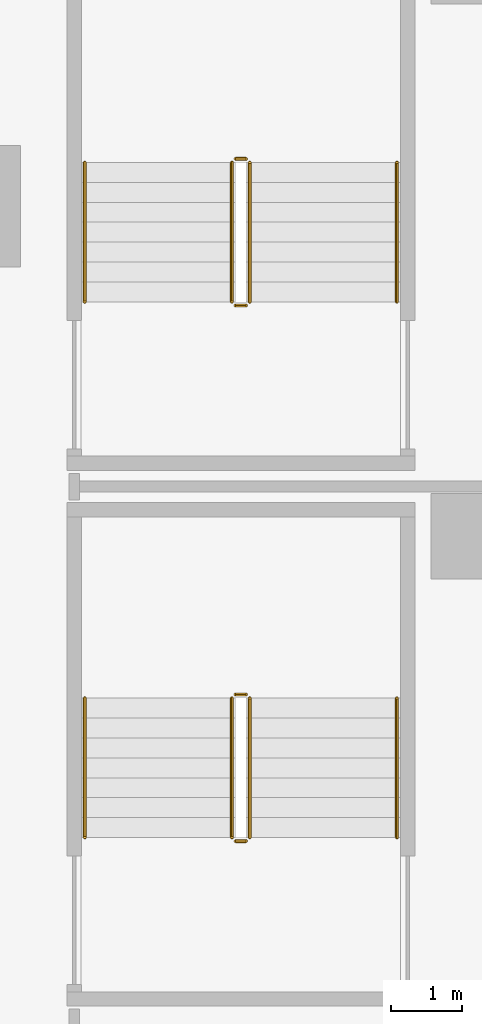
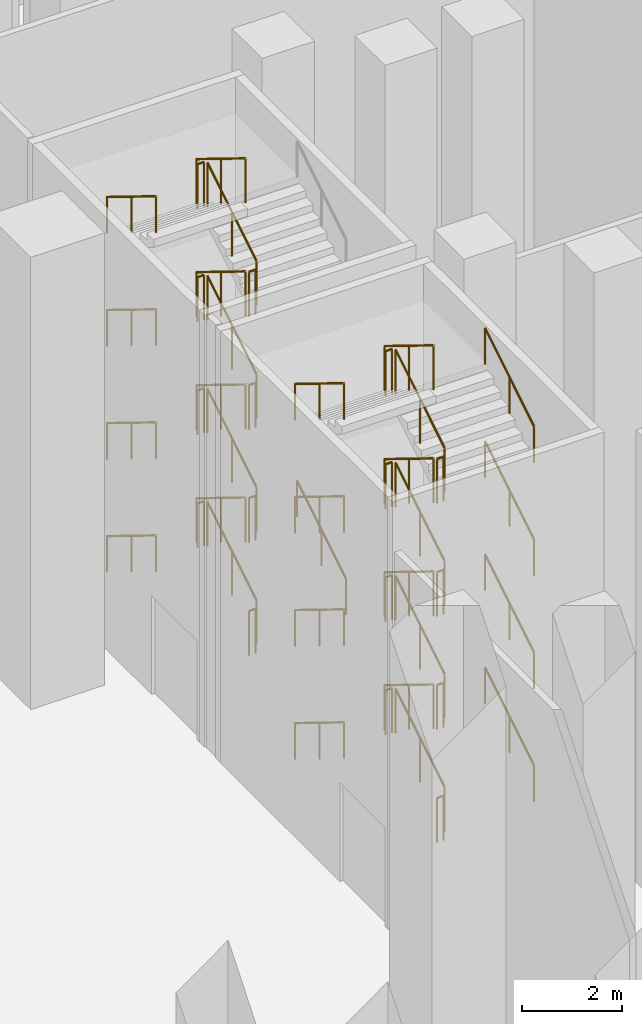
# One storey, part 27 of 31: 45 railings.
"""IFC4 building model written with IfcOpenShell, lengths in metres."""

from ifc_helpers import new_model, si_unit, direction, frame, origin, origin_2d, place, context, subcontext, project, spatial, circle, extrude, material, type_object, element, save


model = new_model("IFC4")

# Units and contexts
model_context = context("Model", 3, precision=1e-05, world=origin(), true_north=direction((0.0, 1.0)))
body_context = subcontext(model_context, "Body", "Model", "MODEL_VIEW")
ifc_project = project(units=[si_unit("LENGTHUNIT", "METRE"), si_unit("AREAUNIT", "SQUARE_METRE"), si_unit("VOLUMEUNIT", "CUBIC_METRE"), si_unit("PLANEANGLEUNIT", "RADIAN"), si_unit("MASSUNIT", "GRAM", prefix="KILO")], contexts=[model_context])

# Site, building, storey
site_placement = place(None, origin())
site = spatial("IfcSite", under=ifc_project, at=site_placement, CompositionType="ELEMENT")
building_placement = place(site_placement, origin())
building = spatial("IfcBuilding", under=site, at=building_placement, Name="Calabash Gate Tower", CompositionType="ELEMENT")
storey_placement = place(building_placement, frame((0.0, 0.0, 9.0)))
storey = spatial("IfcBuildingStorey", under=building, at=storey_placement, Name="L01", CompositionType="ELEMENT", Elevation=9.0)

# Railings
ifc_material_1 = material(Name="Black powder-coated steel balusters", Category="steel")
railing_type_1 = type_object("IfcRailingType", Name="Stair guard RL1100", PredefinedType="GUARDRAIL", material=ifc_material_1)
railing_1_placement = place(storey_placement, frame((36.06005859375, -32.840087890625, 0.171875)))
element("IfcRailing", 1, at=railing_1_placement, inside=storey, type_object=railing_type_1, Name="L01 PS6 stair guard 1", PredefinedType="GUARDRAIL", context=body_context, shape_type="SweptSolid", body=[
    extrude(circle(Radius=0.02392578125, at=origin_2d()), frame((0.0, 0.0, 1.076171875), z_axis=(0.0, 0.851424364277, 0.524477408394), x_axis=(-1.0, 0.0, 0.0)), (0.0, 0.0, 1.0), 2.2939453125),
    extrude(circle(Radius=0.02099609375, at=origin_2d()), origin(), (0.0, 0.0, 1.0), 1.052001953125),
    extrude(circle(Radius=0.02099609375, at=origin_2d()), frame((0.0, 0.9765625, 0.6015625)), (0.0, 0.0, 1.0), 1.052001953125),
    extrude(circle(Radius=0.02099609375, at=origin_2d()), frame((0.0, 1.953125, 1.203125)), (0.0, 0.0, 1.0), 1.052001953125),
])
railing_2_placement = place(storey_placement, frame((36.010009765625, -30.8369140625, 1.375)))
element("IfcRailing", 2, at=railing_2_placement, inside=storey, type_object=railing_type_1, Name="L01 PS6 stair guard 2", PredefinedType="GUARDRAIL", context=body_context, shape_type="SweptSolid", body=[
    extrude(circle(Radius=0.02392578125, at=origin_2d()), frame((0.0, 0.0, 1.076171875), z_axis=(-1.0, 0.0, 0.0), x_axis=(0.0, -1.0, 0.0)), (0.0, 0.0, 1.0), 0.14990234375),
    extrude(circle(Radius=0.02099609375, at=origin_2d()), origin(), (0.0, 0.0, 1.0), 1.052001953125),
    extrude(circle(Radius=0.02099609375, at=origin_2d()), frame((-0.14990234375, 0.0, 0.0)), (0.0, 0.0, 1.0), 1.052001953125),
])
railing_3_placement = place(storey_placement, frame((35.81005859375, -30.886962890625, 1.546875)))
element("IfcRailing", 3, at=railing_3_placement, inside=storey, type_object=railing_type_1, Name="L01 PS6 stair guard 3", PredefinedType="GUARDRAIL", context=body_context, shape_type="SweptSolid", body=[
    extrude(circle(Radius=0.02392578125, at=origin_2d()), frame((0.0, 0.0, 1.076171875), z_axis=(0.0, -0.851424364277, 0.524477408394), x_axis=(1.0, 0.0, 0.0)), (0.0, 0.0, 1.0), 2.2939453125),
    extrude(circle(Radius=0.02099609375, at=origin_2d()), origin(), (0.0, 0.0, 1.0), 1.052001953125),
    extrude(circle(Radius=0.02099609375, at=origin_2d()), frame((0.0, -0.9765625, 0.6015625)), (0.0, 0.0, 1.0), 1.052001953125),
    extrude(circle(Radius=0.02099609375, at=origin_2d()), frame((0.0, -1.953125, 1.203125)), (0.0, 0.0, 1.0), 1.052001953125),
])
railing_4_placement = place(storey_placement, frame((36.010009765625, -32.889892578125, 2.75)))
element("IfcRailing", 4, at=railing_4_placement, inside=storey, type_object=railing_type_1, Name="L01 PS6 stair guard 4", PredefinedType="GUARDRAIL", context=body_context, shape_type="SweptSolid", body=[
    extrude(circle(Radius=0.02392578125, at=origin_2d()), frame((0.0, 0.0, 1.076171875), z_axis=(-1.0, 0.0, 0.0), x_axis=(0.0, -1.0, 0.0)), (0.0, 0.0, 1.0), 0.14990234375),
    extrude(circle(Radius=0.02099609375, at=origin_2d()), origin(), (0.0, 0.0, 1.0), 1.052001953125),
    extrude(circle(Radius=0.02099609375, at=origin_2d()), frame((-0.14990234375, 0.0, 0.0)), (0.0, 0.0, 1.0), 1.052001953125),
])
railing_5_placement = place(storey_placement, frame((36.06005859375, -32.840087890625, 2.921875)))
element("IfcRailing", 5, at=railing_5_placement, inside=storey, type_object=railing_type_1, Name="L01 PS6 stair guard 5", PredefinedType="GUARDRAIL", context=body_context, shape_type="SweptSolid", body=[
    extrude(circle(Radius=0.02392578125, at=origin_2d()), frame((0.0, 0.0, 1.076171875), z_axis=(0.0, 0.851424364277, 0.524477408394), x_axis=(-1.0, 0.0, 0.0)), (0.0, 0.0, 1.0), 2.2939453125),
    extrude(circle(Radius=0.02099609375, at=origin_2d()), origin(), (0.0, 0.0, 1.0), 1.052001953125),
    extrude(circle(Radius=0.02099609375, at=origin_2d()), frame((0.0, 0.9765625, 0.6015625)), (0.0, 0.0, 1.0), 1.052001953125),
    extrude(circle(Radius=0.02099609375, at=origin_2d()), frame((0.0, 1.953125, 1.203125)), (0.0, 0.0, 1.0), 1.052001953125),
])
railing_6_placement = place(storey_placement, frame((36.010009765625, -30.8369140625, 4.125)))
element("IfcRailing", 6, at=railing_6_placement, inside=storey, type_object=railing_type_1, Name="L01 PS6 stair guard 6", PredefinedType="GUARDRAIL", context=body_context, shape_type="SweptSolid", body=[
    extrude(circle(Radius=0.02392578125, at=origin_2d()), frame((0.0, 0.0, 1.076171875), z_axis=(-1.0, 0.0, 0.0), x_axis=(0.0, -1.0, 0.0)), (0.0, 0.0, 1.0), 0.14990234375),
    extrude(circle(Radius=0.02099609375, at=origin_2d()), origin(), (0.0, 0.0, 1.0), 1.052001953125),
    extrude(circle(Radius=0.02099609375, at=origin_2d()), frame((-0.14990234375, 0.0, 0.0)), (0.0, 0.0, 1.0), 1.052001953125),
])
railing_7_placement = place(storey_placement, frame((35.81005859375, -30.886962890625, 4.296875)))
element("IfcRailing", 7, at=railing_7_placement, inside=storey, type_object=railing_type_1, Name="L01 PS6 stair guard 7", PredefinedType="GUARDRAIL", context=body_context, shape_type="SweptSolid", body=[
    extrude(circle(Radius=0.02392578125, at=origin_2d()), frame((0.0, 0.0, 1.076171875), z_axis=(0.0, -0.851424364277, 0.524477408394), x_axis=(1.0, 0.0, 0.0)), (0.0, 0.0, 1.0), 2.2939453125),
    extrude(circle(Radius=0.02099609375, at=origin_2d()), origin(), (0.0, 0.0, 1.0), 1.052001953125),
    extrude(circle(Radius=0.02099609375, at=origin_2d()), frame((0.0, -0.9765625, 0.6015625)), (0.0, 0.0, 1.0), 1.052001953125),
    extrude(circle(Radius=0.02099609375, at=origin_2d()), frame((0.0, -1.953125, 1.203125)), (0.0, 0.0, 1.0), 1.052001953125),
])
railing_8_placement = place(storey_placement, frame((36.010009765625, -32.889892578125, 5.5)))
element("IfcRailing", 8, at=railing_8_placement, inside=storey, type_object=railing_type_1, Name="L01 PS6 stair guard 8", PredefinedType="GUARDRAIL", context=body_context, shape_type="SweptSolid", body=[
    extrude(circle(Radius=0.02392578125, at=origin_2d()), frame((0.0, 0.0, 1.076171875), z_axis=(-1.0, 0.0, 0.0), x_axis=(0.0, -1.0, 0.0)), (0.0, 0.0, 1.0), 0.14990234375),
    extrude(circle(Radius=0.02099609375, at=origin_2d()), origin(), (0.0, 0.0, 1.0), 1.052001953125),
    extrude(circle(Radius=0.02099609375, at=origin_2d()), frame((-0.14990234375, 0.0, 0.0)), (0.0, 0.0, 1.0), 1.052001953125),
])
railing_9_placement = place(storey_placement, frame((36.06005859375, -32.840087890625, 5.671875)))
element("IfcRailing", 9, at=railing_9_placement, inside=storey, type_object=railing_type_1, Name="L01 PS6 stair guard 9", PredefinedType="GUARDRAIL", context=body_context, shape_type="SweptSolid", body=[
    extrude(circle(Radius=0.02392578125, at=origin_2d()), frame((0.0, 0.0, 1.076171875), z_axis=(0.0, 0.851424364277, 0.524477408394), x_axis=(-1.0, 0.0, 0.0)), (0.0, 0.0, 1.0), 2.2939453125),
    extrude(circle(Radius=0.02099609375, at=origin_2d()), origin(), (0.0, 0.0, 1.0), 1.052001953125),
    extrude(circle(Radius=0.02099609375, at=origin_2d()), frame((0.0, 0.9765625, 0.6015625)), (0.0, 0.0, 1.0), 1.052001953125),
    extrude(circle(Radius=0.02099609375, at=origin_2d()), frame((0.0, 1.953125, 1.203125)), (0.0, 0.0, 1.0), 1.052001953125),
])
railing_10_placement = place(storey_placement, frame((36.010009765625, -30.8369140625, 6.875)))
element("IfcRailing", 10, at=railing_10_placement, inside=storey, type_object=railing_type_1, Name="L01 PS6 stair guard 10", PredefinedType="GUARDRAIL", context=body_context, shape_type="SweptSolid", body=[
    extrude(circle(Radius=0.02392578125, at=origin_2d()), frame((0.0, 0.0, 1.076171875), z_axis=(-1.0, 0.0, 0.0), x_axis=(0.0, -1.0, 0.0)), (0.0, 0.0, 1.0), 0.14990234375),
    extrude(circle(Radius=0.02099609375, at=origin_2d()), origin(), (0.0, 0.0, 1.0), 1.052001953125),
    extrude(circle(Radius=0.02099609375, at=origin_2d()), frame((-0.14990234375, 0.0, 0.0)), (0.0, 0.0, 1.0), 1.052001953125),
])
railing_11_placement = place(storey_placement, frame((35.81005859375, -30.886962890625, 7.046875)))
element("IfcRailing", 11, at=railing_11_placement, inside=storey, type_object=railing_type_1, Name="L01 PS6 stair guard 11", PredefinedType="GUARDRAIL", context=body_context, shape_type="SweptSolid", body=[
    extrude(circle(Radius=0.02392578125, at=origin_2d()), frame((0.0, 0.0, 1.076171875), z_axis=(0.0, -0.851424364277, 0.524477408394), x_axis=(1.0, 0.0, 0.0)), (0.0, 0.0, 1.0), 2.2939453125),
    extrude(circle(Radius=0.02099609375, at=origin_2d()), origin(), (0.0, 0.0, 1.0), 1.052001953125),
    extrude(circle(Radius=0.02099609375, at=origin_2d()), frame((0.0, -0.9765625, 0.6015625)), (0.0, 0.0, 1.0), 1.052001953125),
    extrude(circle(Radius=0.02099609375, at=origin_2d()), frame((0.0, -1.953125, 1.203125)), (0.0, 0.0, 1.0), 1.052001953125),
])
railing_12_placement = place(storey_placement, frame((36.010009765625, -32.889892578125, 8.25)))
element("IfcRailing", 12, at=railing_12_placement, inside=storey, type_object=railing_type_1, Name="L01 PS6 stair guard 12", PredefinedType="GUARDRAIL", context=body_context, shape_type="SweptSolid", body=[
    extrude(circle(Radius=0.02392578125, at=origin_2d()), frame((0.0, 0.0, 1.076171875), z_axis=(-1.0, 0.0, 0.0), x_axis=(0.0, -1.0, 0.0)), (0.0, 0.0, 1.0), 0.14990234375),
    extrude(circle(Radius=0.02099609375, at=origin_2d()), origin(), (0.0, 0.0, 1.0), 1.052001953125),
    extrude(circle(Radius=0.02099609375, at=origin_2d()), frame((-0.14990234375, 0.0, 0.0)), (0.0, 0.0, 1.0), 1.052001953125),
])
railing_13_placement = place(storey_placement, frame((36.06005859375, -32.840087890625, 8.421875)))
element("IfcRailing", 13, at=railing_13_placement, inside=storey, type_object=railing_type_1, Name="L01 PS6 stair guard 13", PredefinedType="GUARDRAIL", context=body_context, shape_type="SweptSolid", body=[
    extrude(circle(Radius=0.02392578125, at=origin_2d()), frame((0.0, 0.0, 1.076171875), z_axis=(0.0, 0.851424364277, 0.524477408394), x_axis=(-1.0, 0.0, 0.0)), (0.0, 0.0, 1.0), 2.2939453125),
    extrude(circle(Radius=0.02099609375, at=origin_2d()), origin(), (0.0, 0.0, 1.0), 1.052001953125),
    extrude(circle(Radius=0.02099609375, at=origin_2d()), frame((0.0, 0.9765625, 0.6015625)), (0.0, 0.0, 1.0), 1.052001953125),
    extrude(circle(Radius=0.02099609375, at=origin_2d()), frame((0.0, 1.953125, 1.203125)), (0.0, 0.0, 1.0), 1.052001953125),
])
railing_14_placement = place(storey_placement, frame((36.010009765625, -30.8369140625, 9.625)))
element("IfcRailing", 14, at=railing_14_placement, inside=storey, type_object=railing_type_1, Name="L01 PS6 stair guard 14", PredefinedType="GUARDRAIL", context=body_context, shape_type="SweptSolid", body=[
    extrude(circle(Radius=0.02392578125, at=origin_2d()), frame((0.0, 0.0, 1.076171875), z_axis=(-1.0, 0.0, 0.0), x_axis=(0.0, -1.0, 0.0)), (0.0, 0.0, 1.0), 0.14990234375),
    extrude(circle(Radius=0.02099609375, at=origin_2d()), origin(), (0.0, 0.0, 1.0), 1.052001953125),
    extrude(circle(Radius=0.02099609375, at=origin_2d()), frame((-0.14990234375, 0.0, 0.0)), (0.0, 0.0, 1.0), 1.052001953125),
])
railing_15_placement = place(storey_placement, frame((35.81005859375, -30.886962890625, 9.796875)))
element("IfcRailing", 15, at=railing_15_placement, inside=storey, type_object=railing_type_1, Name="L01 PS6 stair guard 15", PredefinedType="GUARDRAIL", context=body_context, shape_type="SweptSolid", body=[
    extrude(circle(Radius=0.02392578125, at=origin_2d()), frame((0.0, 0.0, 1.076171875), z_axis=(0.0, -0.851424364277, 0.524477408394), x_axis=(1.0, 0.0, 0.0)), (0.0, 0.0, 1.0), 2.2939453125),
    extrude(circle(Radius=0.02099609375, at=origin_2d()), origin(), (0.0, 0.0, 1.0), 1.052001953125),
    extrude(circle(Radius=0.02099609375, at=origin_2d()), frame((0.0, -0.9765625, 0.6015625)), (0.0, 0.0, 1.0), 1.052001953125),
    extrude(circle(Radius=0.02099609375, at=origin_2d()), frame((0.0, -1.953125, 1.203125)), (0.0, 0.0, 1.0), 1.052001953125),
])
railing_16_placement = place(storey_placement, frame((36.010009765625, -32.889892578125, 0.0)))
element("IfcRailing", 16, at=railing_16_placement, inside=storey, type_object=railing_type_1, Name="L01 PS6 stair guard 16", PredefinedType="GUARDRAIL", context=body_context, shape_type="SweptSolid", body=[
    extrude(circle(Radius=0.02392578125, at=origin_2d()), frame((0.0, 0.0, 1.076171875), z_axis=(-1.0, 0.0, 0.0), x_axis=(0.0, -1.0, 0.0)), (0.0, 0.0, 1.0), 0.14990234375),
    extrude(circle(Radius=0.02099609375, at=origin_2d()), origin(), (0.0, 0.0, 1.0), 1.052001953125),
    extrude(circle(Radius=0.02099609375, at=origin_2d()), frame((-0.14990234375, 0.0, 0.0)), (0.0, 0.0, 1.0), 1.052001953125),
])
railing_17_placement = place(storey_placement, frame((36.06005859375, -25.340087890625, 0.171875)))
element("IfcRailing", 17, at=railing_17_placement, inside=storey, type_object=railing_type_1, Name="L01 PS7 stair guard 1", PredefinedType="GUARDRAIL", context=body_context, shape_type="SweptSolid", body=[
    extrude(circle(Radius=0.02392578125, at=origin_2d()), frame((0.0, 0.0, 1.076171875), z_axis=(0.0, 0.851424364277, 0.524477408394), x_axis=(-1.0, 0.0, 0.0)), (0.0, 0.0, 1.0), 2.2939453125),
    extrude(circle(Radius=0.02099609375, at=origin_2d()), origin(), (0.0, 0.0, 1.0), 1.052001953125),
    extrude(circle(Radius=0.02099609375, at=origin_2d()), frame((0.0, 0.9765625, 0.6015625)), (0.0, 0.0, 1.0), 1.052001953125),
    extrude(circle(Radius=0.02099609375, at=origin_2d()), frame((0.0, 1.953125, 1.203125)), (0.0, 0.0, 1.0), 1.052001953125),
])
railing_18_placement = place(storey_placement, frame((36.010009765625, -23.3369140625, 1.375)))
element("IfcRailing", 18, at=railing_18_placement, inside=storey, type_object=railing_type_1, Name="L01 PS7 stair guard 2", PredefinedType="GUARDRAIL", context=body_context, shape_type="SweptSolid", body=[
    extrude(circle(Radius=0.02392578125, at=origin_2d()), frame((0.0, 0.0, 1.076171875), z_axis=(-1.0, 0.0, 0.0), x_axis=(0.0, -1.0, 0.0)), (0.0, 0.0, 1.0), 0.14990234375),
    extrude(circle(Radius=0.02099609375, at=origin_2d()), origin(), (0.0, 0.0, 1.0), 1.052001953125),
    extrude(circle(Radius=0.02099609375, at=origin_2d()), frame((-0.14990234375, 0.0, 0.0)), (0.0, 0.0, 1.0), 1.052001953125),
])
railing_19_placement = place(storey_placement, frame((35.81005859375, -23.386962890625, 1.546875)))
element("IfcRailing", 19, at=railing_19_placement, inside=storey, type_object=railing_type_1, Name="L01 PS7 stair guard 3", PredefinedType="GUARDRAIL", context=body_context, shape_type="SweptSolid", body=[
    extrude(circle(Radius=0.02392578125, at=origin_2d()), frame((0.0, 0.0, 1.076171875), z_axis=(0.0, -0.851424364277, 0.524477408394), x_axis=(1.0, 0.0, 0.0)), (0.0, 0.0, 1.0), 2.2939453125),
    extrude(circle(Radius=0.02099609375, at=origin_2d()), origin(), (0.0, 0.0, 1.0), 1.052001953125),
    extrude(circle(Radius=0.02099609375, at=origin_2d()), frame((0.0, -0.9765625, 0.6015625)), (0.0, 0.0, 1.0), 1.052001953125),
    extrude(circle(Radius=0.02099609375, at=origin_2d()), frame((0.0, -1.953125, 1.203125)), (0.0, 0.0, 1.0), 1.052001953125),
])
railing_20_placement = place(storey_placement, frame((36.010009765625, -25.389892578125, 2.75)))
element("IfcRailing", 20, at=railing_20_placement, inside=storey, type_object=railing_type_1, Name="L01 PS7 stair guard 4", PredefinedType="GUARDRAIL", context=body_context, shape_type="SweptSolid", body=[
    extrude(circle(Radius=0.02392578125, at=origin_2d()), frame((0.0, 0.0, 1.076171875), z_axis=(-1.0, 0.0, 0.0), x_axis=(0.0, -1.0, 0.0)), (0.0, 0.0, 1.0), 0.14990234375),
    extrude(circle(Radius=0.02099609375, at=origin_2d()), origin(), (0.0, 0.0, 1.0), 1.052001953125),
    extrude(circle(Radius=0.02099609375, at=origin_2d()), frame((-0.14990234375, 0.0, 0.0)), (0.0, 0.0, 1.0), 1.052001953125),
])
railing_21_placement = place(storey_placement, frame((36.06005859375, -25.340087890625, 2.921875)))
element("IfcRailing", 21, at=railing_21_placement, inside=storey, type_object=railing_type_1, Name="L01 PS7 stair guard 5", PredefinedType="GUARDRAIL", context=body_context, shape_type="SweptSolid", body=[
    extrude(circle(Radius=0.02392578125, at=origin_2d()), frame((0.0, 0.0, 1.076171875), z_axis=(0.0, 0.851424364277, 0.524477408394), x_axis=(-1.0, 0.0, 0.0)), (0.0, 0.0, 1.0), 2.2939453125),
    extrude(circle(Radius=0.02099609375, at=origin_2d()), origin(), (0.0, 0.0, 1.0), 1.052001953125),
    extrude(circle(Radius=0.02099609375, at=origin_2d()), frame((0.0, 0.9765625, 0.6015625)), (0.0, 0.0, 1.0), 1.052001953125),
    extrude(circle(Radius=0.02099609375, at=origin_2d()), frame((0.0, 1.953125, 1.203125)), (0.0, 0.0, 1.0), 1.052001953125),
])
railing_22_placement = place(storey_placement, frame((36.010009765625, -23.3369140625, 4.125)))
element("IfcRailing", 22, at=railing_22_placement, inside=storey, type_object=railing_type_1, Name="L01 PS7 stair guard 6", PredefinedType="GUARDRAIL", context=body_context, shape_type="SweptSolid", body=[
    extrude(circle(Radius=0.02392578125, at=origin_2d()), frame((0.0, 0.0, 1.076171875), z_axis=(-1.0, 0.0, 0.0), x_axis=(0.0, -1.0, 0.0)), (0.0, 0.0, 1.0), 0.14990234375),
    extrude(circle(Radius=0.02099609375, at=origin_2d()), origin(), (0.0, 0.0, 1.0), 1.052001953125),
    extrude(circle(Radius=0.02099609375, at=origin_2d()), frame((-0.14990234375, 0.0, 0.0)), (0.0, 0.0, 1.0), 1.052001953125),
])
railing_23_placement = place(storey_placement, frame((35.81005859375, -23.386962890625, 4.296875)))
element("IfcRailing", 23, at=railing_23_placement, inside=storey, type_object=railing_type_1, Name="L01 PS7 stair guard 7", PredefinedType="GUARDRAIL", context=body_context, shape_type="SweptSolid", body=[
    extrude(circle(Radius=0.02392578125, at=origin_2d()), frame((0.0, 0.0, 1.076171875), z_axis=(0.0, -0.851424364277, 0.524477408394), x_axis=(1.0, 0.0, 0.0)), (0.0, 0.0, 1.0), 2.2939453125),
    extrude(circle(Radius=0.02099609375, at=origin_2d()), origin(), (0.0, 0.0, 1.0), 1.052001953125),
    extrude(circle(Radius=0.02099609375, at=origin_2d()), frame((0.0, -0.9765625, 0.6015625)), (0.0, 0.0, 1.0), 1.052001953125),
    extrude(circle(Radius=0.02099609375, at=origin_2d()), frame((0.0, -1.953125, 1.203125)), (0.0, 0.0, 1.0), 1.052001953125),
])
railing_24_placement = place(storey_placement, frame((36.010009765625, -25.389892578125, 5.5)))
element("IfcRailing", 24, at=railing_24_placement, inside=storey, type_object=railing_type_1, Name="L01 PS7 stair guard 8", PredefinedType="GUARDRAIL", context=body_context, shape_type="SweptSolid", body=[
    extrude(circle(Radius=0.02392578125, at=origin_2d()), frame((0.0, 0.0, 1.076171875), z_axis=(-1.0, 0.0, 0.0), x_axis=(0.0, -1.0, 0.0)), (0.0, 0.0, 1.0), 0.14990234375),
    extrude(circle(Radius=0.02099609375, at=origin_2d()), origin(), (0.0, 0.0, 1.0), 1.052001953125),
    extrude(circle(Radius=0.02099609375, at=origin_2d()), frame((-0.14990234375, 0.0, 0.0)), (0.0, 0.0, 1.0), 1.052001953125),
])
railing_25_placement = place(storey_placement, frame((36.06005859375, -25.340087890625, 5.671875)))
element("IfcRailing", 25, at=railing_25_placement, inside=storey, type_object=railing_type_1, Name="L01 PS7 stair guard 9", PredefinedType="GUARDRAIL", context=body_context, shape_type="SweptSolid", body=[
    extrude(circle(Radius=0.02392578125, at=origin_2d()), frame((0.0, 0.0, 1.076171875), z_axis=(0.0, 0.851424364277, 0.524477408394), x_axis=(-1.0, 0.0, 0.0)), (0.0, 0.0, 1.0), 2.2939453125),
    extrude(circle(Radius=0.02099609375, at=origin_2d()), origin(), (0.0, 0.0, 1.0), 1.052001953125),
    extrude(circle(Radius=0.02099609375, at=origin_2d()), frame((0.0, 0.9765625, 0.6015625)), (0.0, 0.0, 1.0), 1.052001953125),
    extrude(circle(Radius=0.02099609375, at=origin_2d()), frame((0.0, 1.953125, 1.203125)), (0.0, 0.0, 1.0), 1.052001953125),
])
railing_26_placement = place(storey_placement, frame((36.010009765625, -23.3369140625, 6.875)))
element("IfcRailing", 26, at=railing_26_placement, inside=storey, type_object=railing_type_1, Name="L01 PS7 stair guard 10", PredefinedType="GUARDRAIL", context=body_context, shape_type="SweptSolid", body=[
    extrude(circle(Radius=0.02392578125, at=origin_2d()), frame((0.0, 0.0, 1.076171875), z_axis=(-1.0, 0.0, 0.0), x_axis=(0.0, -1.0, 0.0)), (0.0, 0.0, 1.0), 0.14990234375),
    extrude(circle(Radius=0.02099609375, at=origin_2d()), origin(), (0.0, 0.0, 1.0), 1.052001953125),
    extrude(circle(Radius=0.02099609375, at=origin_2d()), frame((-0.14990234375, 0.0, 0.0)), (0.0, 0.0, 1.0), 1.052001953125),
])
railing_27_placement = place(storey_placement, frame((35.81005859375, -23.386962890625, 7.046875)))
element("IfcRailing", 27, at=railing_27_placement, inside=storey, type_object=railing_type_1, Name="L01 PS7 stair guard 11", PredefinedType="GUARDRAIL", context=body_context, shape_type="SweptSolid", body=[
    extrude(circle(Radius=0.02392578125, at=origin_2d()), frame((0.0, 0.0, 1.076171875), z_axis=(0.0, -0.851424364277, 0.524477408394), x_axis=(1.0, 0.0, 0.0)), (0.0, 0.0, 1.0), 2.2939453125),
    extrude(circle(Radius=0.02099609375, at=origin_2d()), origin(), (0.0, 0.0, 1.0), 1.052001953125),
    extrude(circle(Radius=0.02099609375, at=origin_2d()), frame((0.0, -0.9765625, 0.6015625)), (0.0, 0.0, 1.0), 1.052001953125),
    extrude(circle(Radius=0.02099609375, at=origin_2d()), frame((0.0, -1.953125, 1.203125)), (0.0, 0.0, 1.0), 1.052001953125),
])
railing_28_placement = place(storey_placement, frame((36.010009765625, -25.389892578125, 8.25)))
element("IfcRailing", 28, at=railing_28_placement, inside=storey, type_object=railing_type_1, Name="L01 PS7 stair guard 12", PredefinedType="GUARDRAIL", context=body_context, shape_type="SweptSolid", body=[
    extrude(circle(Radius=0.02392578125, at=origin_2d()), frame((0.0, 0.0, 1.076171875), z_axis=(-1.0, 0.0, 0.0), x_axis=(0.0, -1.0, 0.0)), (0.0, 0.0, 1.0), 0.14990234375),
    extrude(circle(Radius=0.02099609375, at=origin_2d()), origin(), (0.0, 0.0, 1.0), 1.052001953125),
    extrude(circle(Radius=0.02099609375, at=origin_2d()), frame((-0.14990234375, 0.0, 0.0)), (0.0, 0.0, 1.0), 1.052001953125),
])
railing_29_placement = place(storey_placement, frame((36.06005859375, -25.340087890625, 8.421875)))
element("IfcRailing", 29, at=railing_29_placement, inside=storey, type_object=railing_type_1, Name="L01 PS7 stair guard 13", PredefinedType="GUARDRAIL", context=body_context, shape_type="SweptSolid", body=[
    extrude(circle(Radius=0.02392578125, at=origin_2d()), frame((0.0, 0.0, 1.076171875), z_axis=(0.0, 0.851424364277, 0.524477408394), x_axis=(-1.0, 0.0, 0.0)), (0.0, 0.0, 1.0), 2.2939453125),
    extrude(circle(Radius=0.02099609375, at=origin_2d()), origin(), (0.0, 0.0, 1.0), 1.052001953125),
    extrude(circle(Radius=0.02099609375, at=origin_2d()), frame((0.0, 0.9765625, 0.6015625)), (0.0, 0.0, 1.0), 1.052001953125),
    extrude(circle(Radius=0.02099609375, at=origin_2d()), frame((0.0, 1.953125, 1.203125)), (0.0, 0.0, 1.0), 1.052001953125),
])
railing_30_placement = place(storey_placement, frame((36.010009765625, -23.3369140625, 9.625)))
element("IfcRailing", 30, at=railing_30_placement, inside=storey, type_object=railing_type_1, Name="L01 PS7 stair guard 14", PredefinedType="GUARDRAIL", context=body_context, shape_type="SweptSolid", body=[
    extrude(circle(Radius=0.02392578125, at=origin_2d()), frame((0.0, 0.0, 1.076171875), z_axis=(-1.0, 0.0, 0.0), x_axis=(0.0, -1.0, 0.0)), (0.0, 0.0, 1.0), 0.14990234375),
    extrude(circle(Radius=0.02099609375, at=origin_2d()), origin(), (0.0, 0.0, 1.0), 1.052001953125),
    extrude(circle(Radius=0.02099609375, at=origin_2d()), frame((-0.14990234375, 0.0, 0.0)), (0.0, 0.0, 1.0), 1.052001953125),
])
railing_31_placement = place(storey_placement, frame((35.81005859375, -23.386962890625, 9.796875)))
element("IfcRailing", 31, at=railing_31_placement, inside=storey, type_object=railing_type_1, Name="L01 PS7 stair guard 15", PredefinedType="GUARDRAIL", context=body_context, shape_type="SweptSolid", body=[
    extrude(circle(Radius=0.02392578125, at=origin_2d()), frame((0.0, 0.0, 1.076171875), z_axis=(0.0, -0.851424364277, 0.524477408394), x_axis=(1.0, 0.0, 0.0)), (0.0, 0.0, 1.0), 2.2939453125),
    extrude(circle(Radius=0.02099609375, at=origin_2d()), origin(), (0.0, 0.0, 1.0), 1.052001953125),
    extrude(circle(Radius=0.02099609375, at=origin_2d()), frame((0.0, -0.9765625, 0.6015625)), (0.0, 0.0, 1.0), 1.052001953125),
    extrude(circle(Radius=0.02099609375, at=origin_2d()), frame((0.0, -1.953125, 1.203125)), (0.0, 0.0, 1.0), 1.052001953125),
])
railing_32_placement = place(storey_placement, frame((36.010009765625, -25.389892578125, 0.0)))
element("IfcRailing", 32, at=railing_32_placement, inside=storey, type_object=railing_type_1, Name="L01 PS7 stair guard 16", PredefinedType="GUARDRAIL", context=body_context, shape_type="SweptSolid", body=[
    extrude(circle(Radius=0.02392578125, at=origin_2d()), frame((0.0, 0.0, 1.076171875), z_axis=(-1.0, 0.0, 0.0), x_axis=(0.0, -1.0, 0.0)), (0.0, 0.0, 1.0), 0.14990234375),
    extrude(circle(Radius=0.02099609375, at=origin_2d()), origin(), (0.0, 0.0, 1.0), 1.052001953125),
    extrude(circle(Radius=0.02099609375, at=origin_2d()), frame((-0.14990234375, 0.0, 0.0)), (0.0, 0.0, 1.0), 1.052001953125),
])
ifc_material_2 = material(Name="Black powder-coated steel tube 48 mm", Category="steel")
railing_type_2 = type_object("IfcRailingType", Name="Stair handrail RL900", PredefinedType="HANDRAIL", material=ifc_material_2)
railing_33_placement = place(storey_placement, frame((38.1201171875, -32.840087890625, 0.171875)))
element("IfcRailing", 33, at=railing_33_placement, inside=storey, type_object=railing_type_2, Name="L01 PS6 stair handrail 1", PredefinedType="HANDRAIL", context=body_context, shape_type="SweptSolid", body=[
    extrude(circle(Radius=0.02392578125, at=origin_2d()), frame((0.0, 0.0, 0.8759765625), z_axis=(0.0, 0.851424364277, 0.524477408394), x_axis=(-1.0, 0.0, 0.0)), (0.0, 0.0, 1.0), 2.2939453125),
    extrude(circle(Radius=0.02099609375, at=origin_2d()), origin(), (0.0, 0.0, 1.0), 0.851806640625),
    extrude(circle(Radius=0.02099609375, at=origin_2d()), frame((0.0, 0.9765625, 0.6015625)), (0.0, 0.0, 1.0), 0.851806640625),
    extrude(circle(Radius=0.02099609375, at=origin_2d()), frame((0.0, 1.953125, 1.203125)), (0.0, 0.0, 1.0), 0.851806640625),
])
railing_34_placement = place(storey_placement, frame((33.75, -30.886962890625, 1.546875)))
element("IfcRailing", 34, at=railing_34_placement, inside=storey, type_object=railing_type_2, Name="L01 PS6 stair handrail 2", PredefinedType="HANDRAIL", context=body_context, shape_type="SweptSolid", body=[
    extrude(circle(Radius=0.02392578125, at=origin_2d()), frame((0.0, 0.0, 0.8759765625), z_axis=(0.0, -0.851424364277, 0.524477408394), x_axis=(1.0, 0.0, 0.0)), (0.0, 0.0, 1.0), 2.2939453125),
    extrude(circle(Radius=0.02099609375, at=origin_2d()), origin(), (0.0, 0.0, 1.0), 0.851806640625),
    extrude(circle(Radius=0.02099609375, at=origin_2d()), frame((0.0, -0.9765625, 0.6015625)), (0.0, 0.0, 1.0), 0.851806640625),
    extrude(circle(Radius=0.02099609375, at=origin_2d()), frame((0.0, -1.953125, 1.203125)), (0.0, 0.0, 1.0), 0.851806640625),
])
railing_35_placement = place(storey_placement, frame((38.1201171875, -32.840087890625, 2.921875)))
element("IfcRailing", 35, at=railing_35_placement, inside=storey, type_object=railing_type_2, Name="L01 PS6 stair handrail 3", PredefinedType="HANDRAIL", context=body_context, shape_type="SweptSolid", body=[
    extrude(circle(Radius=0.02392578125, at=origin_2d()), frame((0.0, 0.0, 0.8759765625), z_axis=(0.0, 0.851424364277, 0.524477408394), x_axis=(-1.0, 0.0, 0.0)), (0.0, 0.0, 1.0), 2.2939453125),
    extrude(circle(Radius=0.02099609375, at=origin_2d()), origin(), (0.0, 0.0, 1.0), 0.851806640625),
    extrude(circle(Radius=0.02099609375, at=origin_2d()), frame((0.0, 0.9765625, 0.6015625)), (0.0, 0.0, 1.0), 0.851806640625),
    extrude(circle(Radius=0.02099609375, at=origin_2d()), frame((0.0, 1.953125, 1.203125)), (0.0, 0.0, 1.0), 0.851806640625),
])
railing_36_placement = place(storey_placement, frame((33.75, -30.886962890625, 4.296875)))
element("IfcRailing", 36, at=railing_36_placement, inside=storey, type_object=railing_type_2, Name="L01 PS6 stair handrail 4", PredefinedType="HANDRAIL", context=body_context, shape_type="SweptSolid", body=[
    extrude(circle(Radius=0.02392578125, at=origin_2d()), frame((0.0, 0.0, 0.8759765625), z_axis=(0.0, -0.851424364277, 0.524477408394), x_axis=(1.0, 0.0, 0.0)), (0.0, 0.0, 1.0), 2.2939453125),
    extrude(circle(Radius=0.02099609375, at=origin_2d()), origin(), (0.0, 0.0, 1.0), 0.851806640625),
    extrude(circle(Radius=0.02099609375, at=origin_2d()), frame((0.0, -0.9765625, 0.6015625)), (0.0, 0.0, 1.0), 0.851806640625),
    extrude(circle(Radius=0.02099609375, at=origin_2d()), frame((0.0, -1.953125, 1.203125)), (0.0, 0.0, 1.0), 0.851806640625),
])
railing_37_placement = place(storey_placement, frame((38.1201171875, -32.840087890625, 5.671875)))
element("IfcRailing", 37, at=railing_37_placement, inside=storey, type_object=railing_type_2, Name="L01 PS6 stair handrail 5", PredefinedType="HANDRAIL", context=body_context, shape_type="SweptSolid", body=[
    extrude(circle(Radius=0.02392578125, at=origin_2d()), frame((0.0, 0.0, 0.8759765625), z_axis=(0.0, 0.851424364277, 0.524477408394), x_axis=(-1.0, 0.0, 0.0)), (0.0, 0.0, 1.0), 2.2939453125),
    extrude(circle(Radius=0.02099609375, at=origin_2d()), origin(), (0.0, 0.0, 1.0), 0.851806640625),
    extrude(circle(Radius=0.02099609375, at=origin_2d()), frame((0.0, 0.9765625, 0.6015625)), (0.0, 0.0, 1.0), 0.851806640625),
    extrude(circle(Radius=0.02099609375, at=origin_2d()), frame((0.0, 1.953125, 1.203125)), (0.0, 0.0, 1.0), 0.851806640625),
])
railing_38_placement = place(storey_placement, frame((33.75, -30.886962890625, 7.046875)))
element("IfcRailing", 38, at=railing_38_placement, inside=storey, type_object=railing_type_2, Name="L01 PS6 stair handrail 6", PredefinedType="HANDRAIL", context=body_context, shape_type="SweptSolid", body=[
    extrude(circle(Radius=0.02392578125, at=origin_2d()), frame((0.0, 0.0, 0.8759765625), z_axis=(0.0, -0.851424364277, 0.524477408394), x_axis=(1.0, 0.0, 0.0)), (0.0, 0.0, 1.0), 2.2939453125),
    extrude(circle(Radius=0.02099609375, at=origin_2d()), origin(), (0.0, 0.0, 1.0), 0.851806640625),
    extrude(circle(Radius=0.02099609375, at=origin_2d()), frame((0.0, -0.9765625, 0.6015625)), (0.0, 0.0, 1.0), 0.851806640625),
    extrude(circle(Radius=0.02099609375, at=origin_2d()), frame((0.0, -1.953125, 1.203125)), (0.0, 0.0, 1.0), 0.851806640625),
])
railing_39_placement = place(storey_placement, frame((38.1201171875, -32.840087890625, 8.421875)))
element("IfcRailing", 39, at=railing_39_placement, inside=storey, type_object=railing_type_2, Name="L01 PS6 stair handrail 7", PredefinedType="HANDRAIL", context=body_context, shape_type="SweptSolid", body=[
    extrude(circle(Radius=0.02392578125, at=origin_2d()), frame((0.0, 0.0, 0.8759765625), z_axis=(0.0, 0.851424364277, 0.524477408394), x_axis=(-1.0, 0.0, 0.0)), (0.0, 0.0, 1.0), 2.2939453125),
    extrude(circle(Radius=0.02099609375, at=origin_2d()), origin(), (0.0, 0.0, 1.0), 0.851806640625),
    extrude(circle(Radius=0.02099609375, at=origin_2d()), frame((0.0, 0.9765625, 0.6015625)), (0.0, 0.0, 1.0), 0.851806640625),
    extrude(circle(Radius=0.02099609375, at=origin_2d()), frame((0.0, 1.953125, 1.203125)), (0.0, 0.0, 1.0), 0.851806640625),
])
railing_40_placement = place(storey_placement, frame((33.75, -30.886962890625, 9.796875)))
element("IfcRailing", 40, at=railing_40_placement, inside=storey, type_object=railing_type_2, Name="L01 PS6 stair handrail 8", PredefinedType="HANDRAIL", context=body_context, shape_type="SweptSolid", body=[
    extrude(circle(Radius=0.02392578125, at=origin_2d()), frame((0.0, 0.0, 0.8759765625), z_axis=(0.0, -0.851424364277, 0.524477408394), x_axis=(1.0, 0.0, 0.0)), (0.0, 0.0, 1.0), 2.2939453125),
    extrude(circle(Radius=0.02099609375, at=origin_2d()), origin(), (0.0, 0.0, 1.0), 0.851806640625),
    extrude(circle(Radius=0.02099609375, at=origin_2d()), frame((0.0, -0.9765625, 0.6015625)), (0.0, 0.0, 1.0), 0.851806640625),
    extrude(circle(Radius=0.02099609375, at=origin_2d()), frame((0.0, -1.953125, 1.203125)), (0.0, 0.0, 1.0), 0.851806640625),
])
railing_41_placement = place(storey_placement, frame((38.1201171875, -25.340087890625, 0.171875)))
element("IfcRailing", 41, at=railing_41_placement, inside=storey, type_object=railing_type_2, Name="L01 PS7 stair handrail 1", PredefinedType="HANDRAIL", context=body_context, shape_type="SweptSolid", body=[
    extrude(circle(Radius=0.02392578125, at=origin_2d()), frame((0.0, 0.0, 0.8759765625), z_axis=(0.0, 0.851424364277, 0.524477408394), x_axis=(-1.0, 0.0, 0.0)), (0.0, 0.0, 1.0), 2.2939453125),
    extrude(circle(Radius=0.02099609375, at=origin_2d()), origin(), (0.0, 0.0, 1.0), 0.851806640625),
    extrude(circle(Radius=0.02099609375, at=origin_2d()), frame((0.0, 0.9765625, 0.6015625)), (0.0, 0.0, 1.0), 0.851806640625),
    extrude(circle(Radius=0.02099609375, at=origin_2d()), frame((0.0, 1.953125, 1.203125)), (0.0, 0.0, 1.0), 0.851806640625),
])
for number, where, name in (
    (42, (33.75, -23.386962890625, 1.546875), "L01 PS7 stair handrail 2"),
    (43, (33.75, -23.386962890625, 4.296875), "L01 PS7 stair handrail 4"),
    (44, (33.75, -23.386962890625, 7.046875), "L01 PS7 stair handrail 6"),
    (45, (33.75, -23.386962890625, 9.796875), "L01 PS7 stair handrail 8"),
):
    element("IfcRailing", number, at=place(storey_placement, frame(where)), inside=storey, type_object=railing_type_2, Name=name, PredefinedType="HANDRAIL", context=body_context, shape_type="SweptSolid", body=[
        extrude(circle(Radius=0.02392578125, at=origin_2d()), frame((0.0, 0.0, 0.8759765625), z_axis=(0.0, -0.851424364277, 0.524477408394), x_axis=(1.0, 0.0, 0.0)), (0.0, 0.0, 1.0), 2.2939453125),
        extrude(circle(Radius=0.02099609375, at=origin_2d()), origin(), (0.0, 0.0, 1.0), 0.851806640625),
        extrude(circle(Radius=0.02099609375, at=origin_2d()), frame((0.0, -0.9765625, 0.6015625)), (0.0, 0.0, 1.0), 0.851806640625),
        extrude(circle(Radius=0.02099609375, at=origin_2d()), frame((0.0, -1.953125, 1.203125)), (0.0, 0.0, 1.0), 0.851806640625),
    ])

save(model, "model.ifc")
